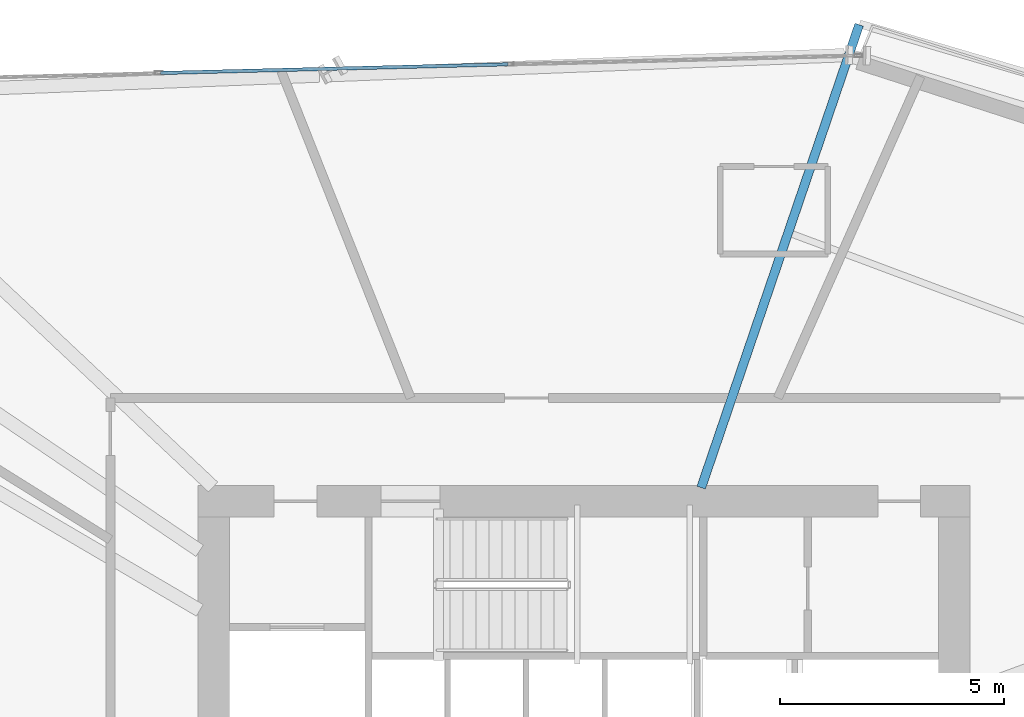
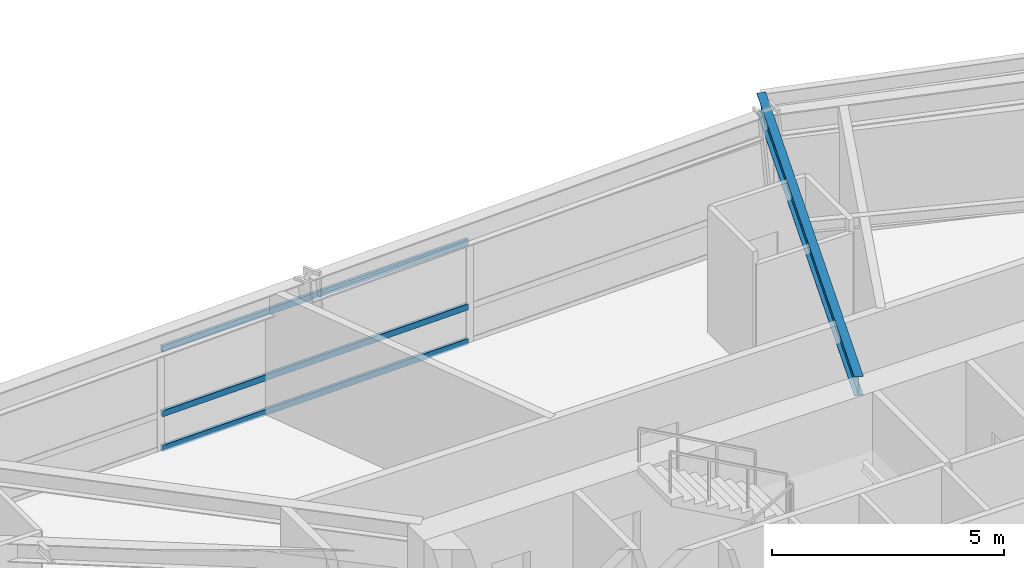
# One storey, part 7 of 20: 3 members, 1 beam, 1 element without a shape of its own.
"""IFC4 building model written with IfcOpenShell, lengths in metres."""

from ifc_helpers import new_model, si_unit, direction, frame, origin, origin_2d, place, context, subcontext, project, spatial, hollow_rectangle, i_section, extrude, source, transform, mapped, material, material_profile, profile_set, type_object, element, aggregate, save


model = new_model("IFC4")

# Units and contexts
model_context = context("Model", 3, precision=1e-05, world=origin(), true_north=direction((0.0, 1.0)))
body_context = subcontext(model_context, "Body", "Model", "MODEL_VIEW")
ifc_project = project(units=[si_unit("LENGTHUNIT", "METRE"), si_unit("AREAUNIT", "SQUARE_METRE"), si_unit("VOLUMEUNIT", "CUBIC_METRE"), si_unit("PLANEANGLEUNIT", "RADIAN"), si_unit("MASSUNIT", "GRAM", prefix="KILO")], contexts=[model_context])

# Site, building, storey
site_placement = place(None, origin())
site = spatial("IfcSite", under=ifc_project, at=site_placement, CompositionType="ELEMENT")
building_placement = place(site_placement, origin())
building = spatial("IfcBuilding", under=site, at=building_placement, Name="Olszyna Solenne Hotel", CompositionType="ELEMENT")
storey_placement = place(building_placement, frame((0.0, 0.0, 98.60009765625)))
storey = spatial("IfcBuildingStorey", under=building, at=storey_placement, Name="L25", CompositionType="ELEMENT", Elevation=98.60009765625)

# Beam
ifc_material_1 = material(Name="Steel S355J2", Category="steel")
ifc_material_profile_1 = material_profile(ifc_material_1, i_section(OverallWidth=0.199951171875, OverallDepth=0.5, WebThickness=0.01025390625, FlangeThickness=0.01611328125, at=origin_2d()), Name="IPE 500", Category="load-bearing")
ifc_profile_set_1 = profile_set([ifc_material_profile_1], Name="Steel S355J2")
beam_type = type_object("IfcBeamType", Name="BM-F3", PredefinedType="BEAM", material=ifc_profile_set_1)
shared_shape_1 = source(origin(), body_context, "Body", "SweptSolid", [
    extrude(i_section(OverallWidth=0.199951171875, OverallDepth=0.5, WebThickness=0.01025390625, FlangeThickness=0.01611328125, at=origin_2d()), origin(), (0.0, 0.0, 1.0), 10.897705078125),
])
beam_placement = place(storey_placement, frame((44.135009765625, 44.666015625, 3.0498046875), z_axis=(-0.323007808149, -0.946396299588, 0.0), x_axis=(0.946396299588, -0.323007808149, 0.0)))
element("IfcBeam", 1, at=beam_placement, inside=storey, type_object=beam_type, Name="Radial floor girder BM-F3 B-L25-0764", PredefinedType="BEAM", context=body_context, shape_type="MappedRepresentation", body=[
    mapped(shared_shape_1, transform((0.0, 0.0, 0.0), x_axis=(1.0, 0.0, 0.0), y_axis=(0.0, 1.0, 0.0), z_axis=(0.0, 0.0, 1.0), scale=1.0)),
])

# Curtain wall, members
ifc_material_2 = material(Name="Anodised bronze aluminium", Category="aluminium")
curtain_wall_type = type_object("IfcCurtainWallType", Name="CW-SYS-3", PredefinedType="NOTDEFINED", material=ifc_material_2)
curtain_wall_placement = place(storey_placement, origin())
curtain_wall = element("IfcCurtainWall", 2, at=curtain_wall_placement, inside=storey, type_object=curtain_wall_type, Name="Unitised curtain wall CW-SYS-3 CW-L25-02", PredefinedType="NOTDEFINED")
ifc_material_profile_2 = material_profile(ifc_material_2, hollow_rectangle(XDim=0.074951171875, YDim=0.159912109375, WallThickness=0.00390625, at=origin_2d()), Name="TRAN 160x75x4", Category="load-bearing")
ifc_profile_set_2 = profile_set([ifc_material_profile_2], Name="Anodised bronze aluminium")
member_type = type_object("IfcMemberType", Name="CW-T1", PredefinedType="USERDEFINED", material=ifc_profile_set_2)
shared_shape_2 = source(origin(), body_context, "Body", "SweptSolid", [
    extrude(hollow_rectangle(XDim=0.074951171875, YDim=0.159912109375, WallThickness=0.00390625, at=origin_2d()), origin(), (0.0, 0.0, 1.0), 7.7412109375),
])
member_1_placement = place(storey_placement, frame((28.5703125, 43.5908203125, 0.037353515625), z_axis=(0.999687212883, 0.025009526147, 0.0), x_axis=(-0.025009526147, 0.999687212883, 0.0)))
member_1 = element("IfcMember", 3, at=member_1_placement, type_object=member_type, Name="Curtain-wall transom CW-T1 CT-L25-02-04", ObjectType="TRANSOM", PredefinedType="USERDEFINED", context=body_context, shape_type="MappedRepresentation", body=[
    mapped(shared_shape_2, transform((0.0, 0.0, 0.0), x_axis=(1.0, 0.0, 0.0), y_axis=(0.0, 1.0, 0.0), z_axis=(0.0, 0.0, 1.0), scale=1.0)),
])
member_2_placement = place(storey_placement, frame((28.5703125, 43.5908203125, 0.949951171875), z_axis=(0.999687212883, 0.025009526147, 0.0), x_axis=(-0.025009526147, 0.999687212883, 0.0)))
member_2 = element("IfcMember", 4, at=member_2_placement, type_object=member_type, Name="Curtain-wall transom CW-T1 CT-L25-02-05", ObjectType="TRANSOM", PredefinedType="USERDEFINED", context=body_context, shape_type="MappedRepresentation", body=[
    mapped(shared_shape_2, transform((0.0, 0.0, 0.0), x_axis=(1.0, 0.0, 0.0), y_axis=(0.0, 1.0, 0.0), z_axis=(0.0, 0.0, 1.0), scale=1.0)),
])
member_3_placement = place(storey_placement, frame((28.5703125, 43.5908203125, 2.654296875), z_axis=(0.999687212883, 0.025009526147, 0.0), x_axis=(-0.025009526147, 0.999687212883, 0.0)))
member_3 = element("IfcMember", 5, at=member_3_placement, type_object=member_type, Name="Curtain-wall transom CW-T1 CT-L25-02-06", ObjectType="TRANSOM", PredefinedType="USERDEFINED", context=body_context, shape_type="MappedRepresentation", body=[
    mapped(shared_shape_2, transform((0.0, 0.0, 0.0), x_axis=(1.0, 0.0, 0.0), y_axis=(0.0, 1.0, 0.0), z_axis=(0.0, 0.0, 1.0), scale=1.0)),
])
aggregate(curtain_wall, [member_1, member_2, member_3])

save(model, "model.ifc")
